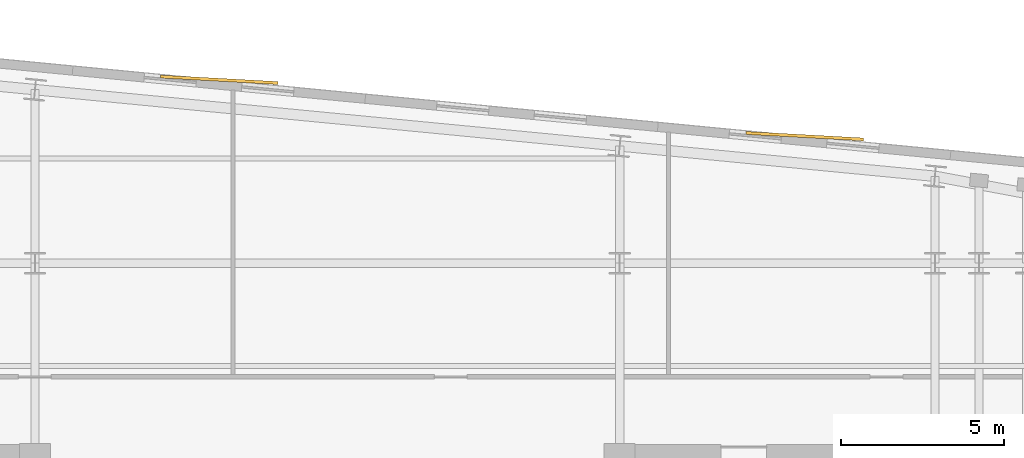
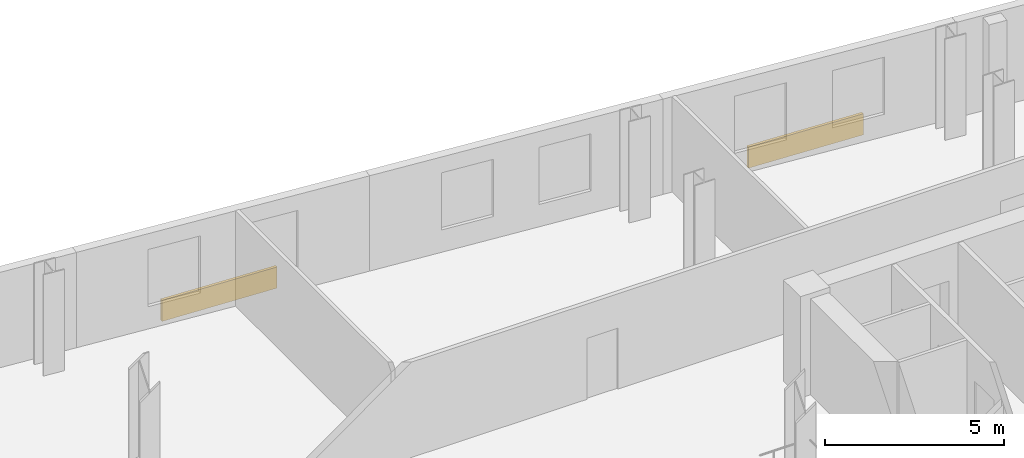
# One storey, part 9 of 9: 2 coverings.
"""IFC4 building model written with IfcOpenShell, lengths in metres."""

from ifc_helpers import new_model, si_unit, direction, frame, origin, origin_2d, place, context, subcontext, project, spatial, rectangle, extrude, material, layer, layer_set, type_object, element, save


model = new_model("IFC4")

# Units and contexts
model_context = context("Model", 3, precision=1e-05, world=origin(), true_north=direction((0.0, 1.0)))
body_context = subcontext(model_context, "Body", "Model", "MODEL_VIEW")
ifc_project = project(units=[si_unit("LENGTHUNIT", "METRE"), si_unit("AREAUNIT", "SQUARE_METRE"), si_unit("VOLUMEUNIT", "CUBIC_METRE"), si_unit("PLANEANGLEUNIT", "RADIAN"), si_unit("MASSUNIT", "GRAM", prefix="KILO")], contexts=[model_context])

# Site, building, storey
site_placement = place(None, origin())
site = spatial("IfcSite", under=ifc_project, at=site_placement, CompositionType="ELEMENT")
building_placement = place(site_placement, origin())
building = spatial("IfcBuilding", under=site, at=building_placement, Name="Velakula Bourse", CompositionType="ELEMENT")
storey_placement = place(building_placement, frame((0.0, 0.0, 177.64990234375)))
storey = spatial("IfcBuildingStorey", under=building, at=storey_placement, Name="L48", CompositionType="ELEMENT", Elevation=177.64990234375)

# Coverings
ifc_material = material(Name="Buff kilned clay facing brick masonry", Category="masonry")
ifc_layer = layer(ifc_material, 0.074951171875, Name="Buff kilned clay facing brick masonry", Category="masonry")
ifc_layer_set = layer_set([ifc_layer], Name="Buff kilned clay facing brick masonry")
covering_type = type_object("IfcCoveringType", Name="COV-BRK-SPN-75", PredefinedType="CLADDING", material=ifc_layer_set)
for number, where, z_axis, x_axis, name in (
    (1, (-3.304931640625, 20.213623046875, 0.0), (0.0, 0.0, 1.0), (0.998489097451, -0.054950179912, 0.0), "L48 Folded Brick Facade Cladding Panel N-B2"),
    (2, (14.6123046875, 18.48828125, 0.0), (0.0, 0.0, 1.0), (0.998489097451, -0.054950179912, 0.0), "L48 Folded Brick Facade Cladding Panel N-B4"),
):
    element("IfcCovering", number, at=place(storey_placement, frame(where, z_axis=z_axis, x_axis=x_axis)), inside=storey, type_object=covering_type, Name=name, PredefinedType="CLADDING", context=body_context, shape_type="SweptSolid", body=[
        extrude(rectangle(XDim=3.60009765625, YDim=0.090087890625, at=origin_2d()), origin(), (0.0, 0.0, 1.0), 0.719970703125),
    ])

save(model, "model.ifc")
